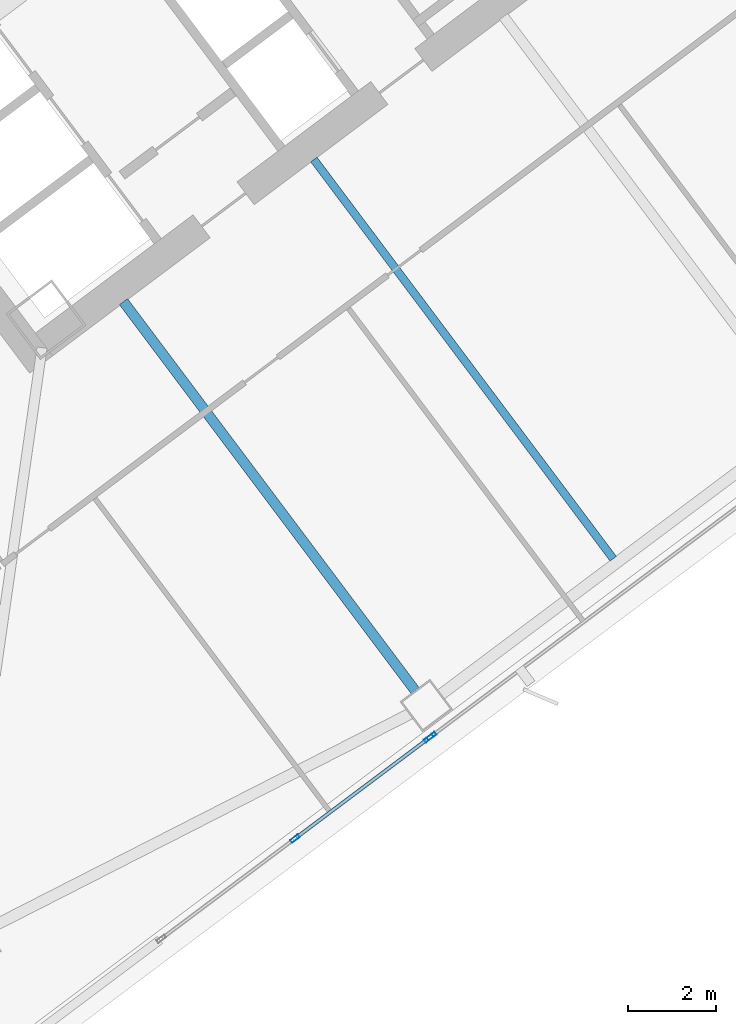
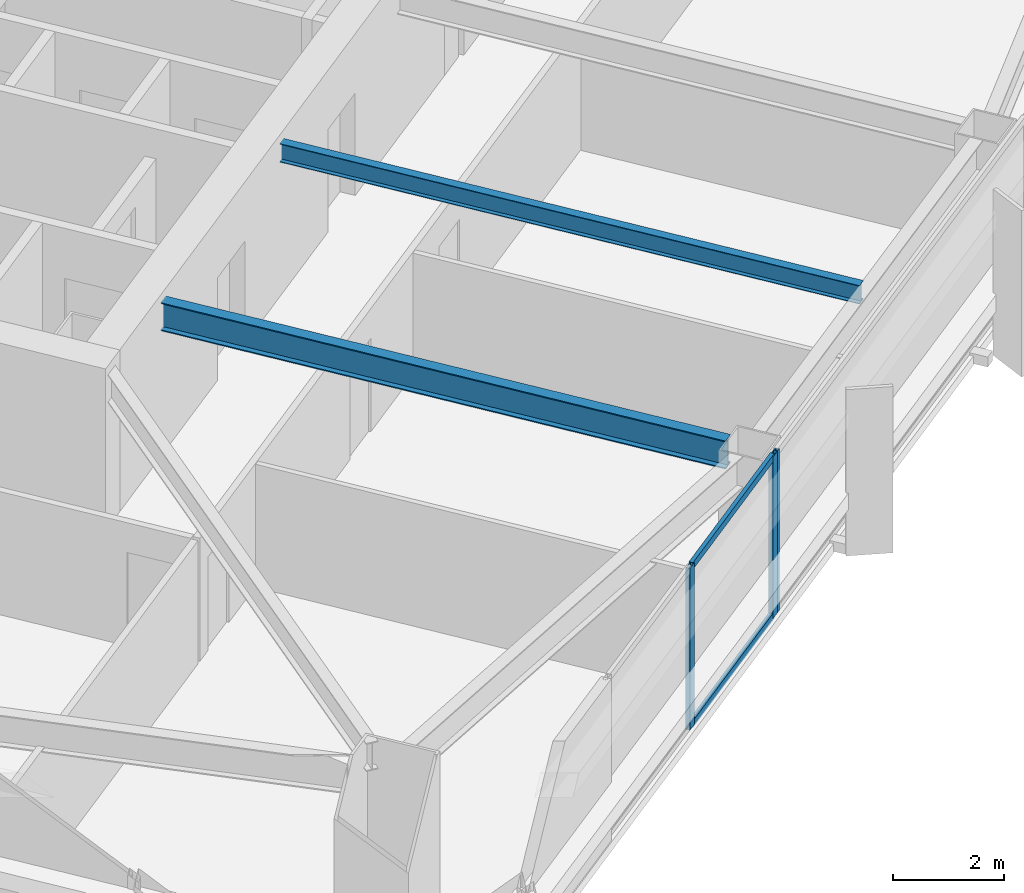
# One storey, part 25 of 49: 5 members, 2 beams, 2 elements without a shape of their own.
"""IFC4 building model written with IfcOpenShell, lengths in metres."""

from ifc_helpers import new_model, si_unit, direction, frame, origin, origin_2d, place, context, subcontext, project, spatial, hollow_rectangle, i_section, extrude, material, material_profile, profile_set, type_object, element, aggregate, save


model = new_model("IFC4")

# Units and contexts
model_context = context("Model", 3, precision=1e-05, world=origin(), true_north=direction((0.0, 1.0)))
body_context = subcontext(model_context, "Body", "Model", "MODEL_VIEW")
ifc_project = project(units=[si_unit("LENGTHUNIT", "METRE"), si_unit("AREAUNIT", "SQUARE_METRE"), si_unit("VOLUMEUNIT", "CUBIC_METRE"), si_unit("PLANEANGLEUNIT", "RADIAN"), si_unit("MASSUNIT", "GRAM", prefix="KILO")], contexts=[model_context])

# Site, building, storey
site_placement = place(None, origin())
site = spatial("IfcSite", under=ifc_project, at=site_placement, CompositionType="ELEMENT")
building_placement = place(site_placement, origin())
building = spatial("IfcBuilding", under=site, at=building_placement, Name="Tashvorn Skyway Center", CompositionType="ELEMENT")
storey_placement = place(building_placement, frame((0.0, 0.0, 70.75)))
storey = spatial("IfcBuildingStorey", under=building, at=storey_placement, Name="L18", CompositionType="ELEMENT", Elevation=70.75)

# Beams
ifc_material_1 = material(Name="Steel ASTM A992 Grade 50", Category="steel")
ifc_material_profile_1 = material_profile(ifc_material_1, i_section(OverallWidth=0.22998046875, OverallDepth=0.616943359375, WebThickness=0.01318359375, FlangeThickness=0.022216796875, at=origin_2d()), Name="W24X94")
ifc_profile_set_1 = profile_set([ifc_material_profile_1], Name="Steel ASTM A992 Grade 50")
beam_type_1 = type_object("IfcBeamType", Name="BM-BEAM-W24X94", PredefinedType="BEAM", material=ifc_profile_set_1)
beam_1_placement = place(storey_placement, frame((120.97802734375, 13.696044921875, 3.04150390625), z_axis=(-0.60001414024, 0.799989394625, 0.0), x_axis=(-0.799989394625, -0.60001414024, 0.0)))
element("IfcBeam", 1, at=beam_1_placement, inside=storey, type_object=beam_type_1, Name="Tower 2 L18 Primary Floor Girder FC-S1", PredefinedType="BEAM", context=body_context, shape_type="SweptSolid", body=[
    extrude(i_section(OverallWidth=0.22998046875, OverallDepth=0.616943359375, WebThickness=0.01318359375, FlangeThickness=0.022216796875, at=origin_2d()), origin(), (0.0, 0.0, 1.0), 11.050048828125),
])
ifc_material_profile_2 = material_profile(ifc_material_1, i_section(OverallWidth=0.177978515625, OverallDepth=0.406005859375, WebThickness=0.0078125, FlangeThickness=0.0126953125, at=origin_2d()), Name="W16X40")
ifc_profile_set_2 = profile_set([ifc_material_profile_2], Name="Steel ASTM A992 Grade 50")
beam_type_2 = type_object("IfcBeamType", Name="BM-JOIST-W16X40", PredefinedType="JOIST", material=ifc_profile_set_2)
beam_2_placement = place(storey_placement, frame((118.674072265625, 25.76806640625, 3.14697265625), z_axis=(0.599996555327, -0.800002583493, 0.0), x_axis=(0.800002583493, 0.599996555327, 0.0)))
element("IfcBeam", 2, at=beam_2_placement, inside=storey, type_object=beam_type_2, Name="Tower 2 L18 Secondary Composite Joist JS", PredefinedType="JOIST", context=body_context, shape_type="SweptSolid", body=[
    extrude(i_section(OverallWidth=0.177978515625, OverallDepth=0.406005859375, WebThickness=0.0078125, FlangeThickness=0.0126953125, at=origin_2d()), origin(), (0.0, 0.0, 1.0), 11.340087890625),
])

# Curtain wall, member
ifc_material_2 = material(Name="Thermally broken bronze-anodized aluminium 6063-T6", Category="aluminium")
curtain_wall_type = type_object("IfcCurtainWallType", Name="CW-CW-Z2", PredefinedType="NOTDEFINED", material=ifc_material_2)
curtain_wall_1_placement = place(storey_placement, origin())
curtain_wall_1 = element("IfcCurtainWall", 3, at=curtain_wall_1_placement, inside=storey, type_object=curtain_wall_type, Name="Tower 2 L18 South Unitised Curtain Wall Glazing Group 2", PredefinedType="NOTDEFINED")
ifc_material_profile_3 = material_profile(ifc_material_2, hollow_rectangle(XDim=0.080078125, YDim=0.219970703125, WallThickness=0.0048828125, at=origin_2d()), Name="ALU-MULL-80x220")
ifc_profile_set_3 = profile_set([ifc_material_profile_3], Name="Thermally broken bronze-anodized aluminium 6063-T6")
member_type_1 = type_object("IfcMemberType", Name="CWM-CW-Z2", PredefinedType="MULLION", material=ifc_profile_set_3)
member_1_placement = place(storey_placement, frame((121.35205078125, 12.6640625, 0.0), z_axis=(0.0, 0.0, 1.0), x_axis=(0.600000000002, -0.799999999998, 0.0)))
member_1 = element("IfcMember", 4, at=member_1_placement, type_object=member_type_1, Name="CW-Z2 mullion 2", PredefinedType="MULLION", context=body_context, shape_type="SweptSolid", body=[
    extrude(hollow_rectangle(XDim=0.080078125, YDim=0.219970703125, WallThickness=0.0048828125, at=origin_2d()), origin(), (0.0, 0.0, 1.0), 3.550048828125),
])
aggregate(curtain_wall_1, [member_1])

# Curtain wall, members
curtain_wall_2_placement = place(storey_placement, origin())
curtain_wall_2 = element("IfcCurtainWall", 5, at=curtain_wall_2_placement, inside=storey, type_object=curtain_wall_type, Name="Tower 2 L18 South Unitised Curtain Wall Glazing Group 3", PredefinedType="NOTDEFINED")
member_2_placement = place(storey_placement, frame((121.2880859375, 12.615966796875, 0.0), z_axis=(0.0, 0.0, 1.0), x_axis=(0.600000000002, -0.799999999998, 0.0)))
member_2 = element("IfcMember", 6, at=member_2_placement, type_object=member_type_1, Name="CW-Z2 mullion 1", PredefinedType="MULLION", context=body_context, shape_type="SweptSolid", body=[
    extrude(hollow_rectangle(XDim=0.080078125, YDim=0.219970703125, WallThickness=0.0048828125, at=origin_2d()), origin(), (0.0, 0.0, 1.0), 3.550048828125),
])
member_3_placement = place(storey_placement, frame((118.248046875, 10.3359375, 0.0), z_axis=(0.0, 0.0, 1.0), x_axis=(0.600000000002, -0.799999999998, 0.0)))
member_3 = element("IfcMember", 7, at=member_3_placement, type_object=member_type_1, Name="CW-Z2 mullion 2", PredefinedType="MULLION", context=body_context, shape_type="SweptSolid", body=[
    extrude(hollow_rectangle(XDim=0.080078125, YDim=0.219970703125, WallThickness=0.0048828125, at=origin_2d()), origin(), (0.0, 0.0, 1.0), 3.550048828125),
])
ifc_material_profile_4 = material_profile(ifc_material_2, hollow_rectangle(XDim=0.080078125, YDim=0.14990234375, WallThickness=0.00439453125, at=origin_2d()), Name="ALU-TRAN-80x150")
ifc_profile_set_4 = profile_set([ifc_material_profile_4], Name="Thermally broken bronze-anodized aluminium 6063-T6")
member_type_2 = type_object("IfcMemberType", Name="CWT-CW-Z2", PredefinedType="USERDEFINED", material=ifc_profile_set_4)
member_4_placement = place(storey_placement, frame((121.256103515625, 12.592041015625, 0.0400390625), z_axis=(-0.80001575065, -0.599978998559, 0.0), x_axis=(0.599978998559, -0.80001575065, 0.0)))
member_4 = element("IfcMember", 8, at=member_4_placement, type_object=member_type_2, Name="CW-Z2 transom 1.1", ObjectType="TRANSOM", PredefinedType="USERDEFINED", context=body_context, shape_type="SweptSolid", body=[
    extrude(hollow_rectangle(XDim=0.080078125, YDim=0.14990234375, WallThickness=0.00439453125, at=origin_2d()), origin(), (0.0, 0.0, 1.0), 3.719970703125),
])
member_5_placement = place(storey_placement, frame((121.256103515625, 12.592041015625, 3.510009765625), z_axis=(-0.80001575065, -0.599978998559, 0.0), x_axis=(0.599978998559, -0.80001575065, 0.0)))
member_5 = element("IfcMember", 9, at=member_5_placement, type_object=member_type_2, Name="CW-Z2 transom 1.2", ObjectType="TRANSOM", PredefinedType="USERDEFINED", context=body_context, shape_type="SweptSolid", body=[
    extrude(hollow_rectangle(XDim=0.080078125, YDim=0.14990234375, WallThickness=0.00439453125, at=origin_2d()), origin(), (0.0, 0.0, 1.0), 3.719970703125),
])
aggregate(curtain_wall_2, [member_2, member_3, member_4, member_5])

save(model, "model.ifc")
